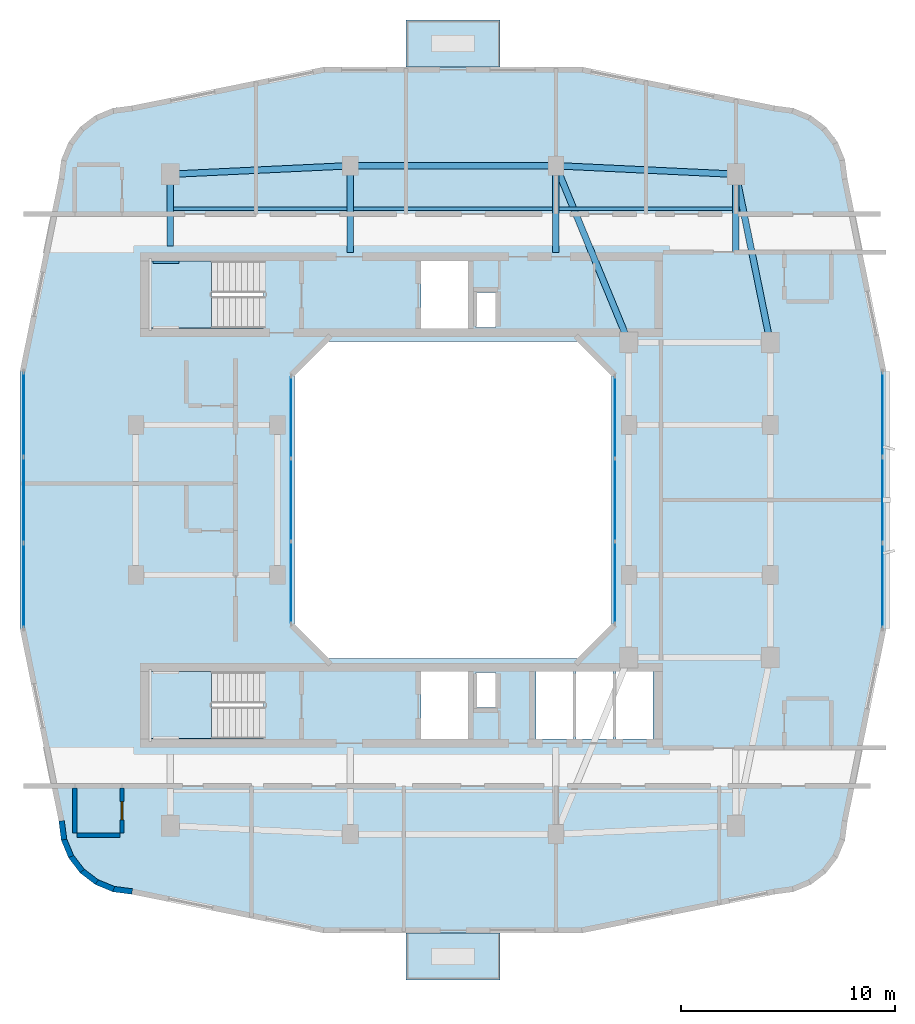
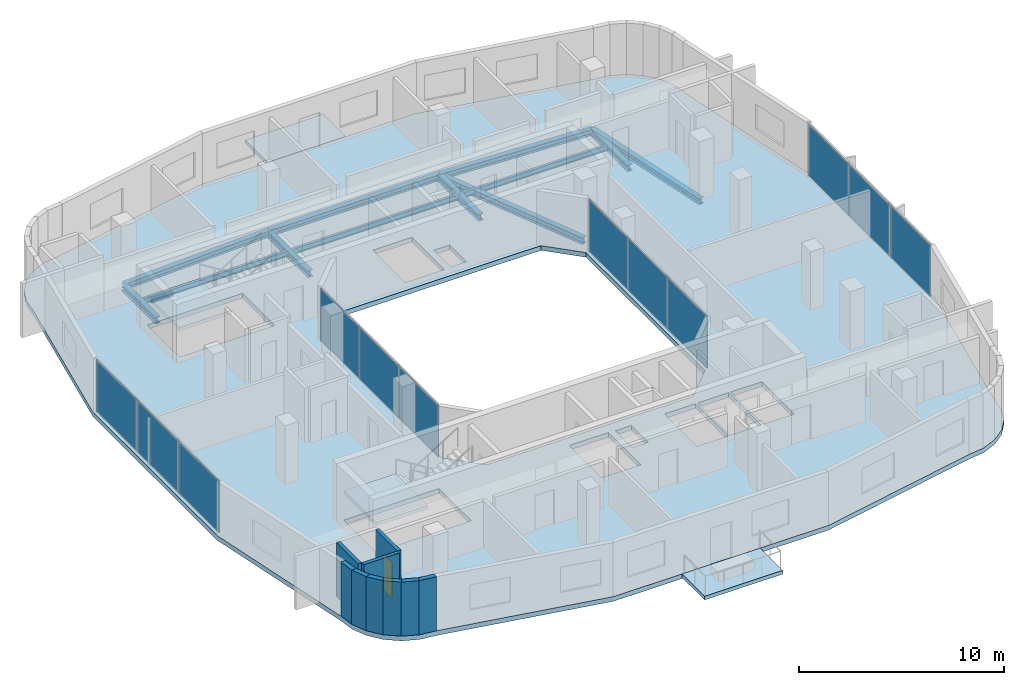
# One storey, part 4 of 12: 13 beams, 12 plates, 9 walls, 5 slabs, 1 door, 1 opening, 6 elements without a shape of their own.
"""IFC4 building model written with IfcOpenShell, lengths in metres."""

from ifc_helpers import new_model, si_unit, derived_unit, direction, frame, frame_2d, origin, origin_2d, place, context, subcontext, project, spatial, polyline, rectangle, i_section, outline, extrude, material, layer, layer_set, material_profile, profile_set, type_object, element, fill, aggregate, save


model = new_model("IFC4")

# Units and contexts
model_context = context("Model", 3, precision=1e-05, world=origin(), true_north=direction((0.0, 1.0)))
body_context = subcontext(model_context, "Body", "Model", "MODEL_VIEW")
ifc_project = project(units=[si_unit("LENGTHUNIT", "METRE"), si_unit("AREAUNIT", "SQUARE_METRE"), si_unit("VOLUMEUNIT", "CUBIC_METRE"), si_unit("PLANEANGLEUNIT", "RADIAN"), si_unit("MASSUNIT", "GRAM", prefix="KILO"), derived_unit("THERMALTRANSMITTANCEUNIT", [(si_unit("POWERUNIT", "WATT"), 1), (si_unit("LENGTHUNIT", "METRE"), -2), (si_unit("THERMODYNAMICTEMPERATUREUNIT", "KELVIN"), -1)])], contexts=[model_context])

# Site, building, storey
site_placement = place(None, origin())
site = spatial("IfcSite", under=ifc_project, at=site_placement, CompositionType="ELEMENT")
building_placement = place(site_placement, origin())
building = spatial("IfcBuilding", under=site, at=building_placement, Name="Kivonza Crest Hotel", CompositionType="ELEMENT")
storey_placement = place(building_placement, frame((0.0, 0.0, 166.0)))
storey = spatial("IfcBuildingStorey", under=building, at=storey_placement, Name="L45", CompositionType="ELEMENT", Elevation=166.0)

# Beams
ifc_material_1 = material(Name="Steel S355", Category="steel")
ifc_material_profile_1 = material_profile(ifc_material_1, i_section(OverallWidth=0.300048828125, OverallDepth=0.360107421875, WebThickness=0.012451171875, FlangeThickness=0.0224609375, FilletRadius=0.027099609375, at=origin_2d()), Name="HEB 360")
ifc_profile_set_1 = profile_set([ifc_material_profile_1], Name="Steel S355")
beam_type_1 = type_object("IfcBeamType", Name="BM-HEB360", PredefinedType="SPANDREL", material=ifc_profile_set_1)
beam_1_placement = place(storey_placement, frame((35.800048828125, 32.35009765625, -0.4599609375), z_axis=(-0.199730733965, 0.979850822273, 0.0), x_axis=(-0.979850822273, -0.199730733965, 0.0)))
element("IfcBeam", 1, at=beam_1_placement, inside=storey, type_object=beam_type_1, Name="Tower T1 L45 perimeter spandrel PNE-NE", PredefinedType="SPANDREL", context=body_context, shape_type="SweptSolid", body=[
    extrude(i_section(OverallWidth=0.300048828125, OverallDepth=0.360107421875, WebThickness=0.012451171875, FlangeThickness=0.0224609375, FilletRadius=0.027099609375, at=origin_2d()), origin(), (0.0, 0.0, 1.0), 8.01123046875),
])
beam_2_placement = place(storey_placement, frame((34.199951171875, 40.199951171875, -0.4599609375), z_axis=(-0.998867283688, 0.047583080799, 0.0), x_axis=(-0.047583080799, -0.998867283688, 0.0)))
element("IfcBeam", 2, at=beam_2_placement, inside=storey, type_object=beam_type_1, Name="Tower T1 L45 perimeter spandrel NE-N2", PredefinedType="SPANDREL", context=body_context, shape_type="SweptSolid", body=[
    extrude(i_section(OverallWidth=0.300048828125, OverallDepth=0.360107421875, WebThickness=0.012451171875, FlangeThickness=0.0224609375, FilletRadius=0.027099609375, at=origin_2d()), origin(), (0.0, 0.0, 1.0), 8.409423828125),
])
beam_3_placement = place(storey_placement, frame((25.800048828125, 40.60009765625, -0.4599609375), z_axis=(-1.0, 0.0, 0.0), x_axis=(0.0, -1.0, 0.0)))
element("IfcBeam", 3, at=beam_3_placement, inside=storey, type_object=beam_type_1, Name="Tower T1 L45 perimeter spandrel N2-N1", PredefinedType="SPANDREL", context=body_context, shape_type="SweptSolid", body=[
    extrude(i_section(OverallWidth=0.300048828125, OverallDepth=0.360107421875, WebThickness=0.012451171875, FlangeThickness=0.0224609375, FilletRadius=0.027099609375, at=origin_2d()), origin(), (0.0, 0.0, 1.0), 9.60009765625),
])
beam_4_placement = place(storey_placement, frame((16.199951171875, 40.60009765625, -0.4599609375), z_axis=(-0.998867283688, -0.047583080799, 0.0), x_axis=(0.047583080799, -0.998867283688, 0.0)))
element("IfcBeam", 4, at=beam_4_placement, inside=storey, type_object=beam_type_1, Name="Tower T1 L45 perimeter spandrel N1-NW", PredefinedType="SPANDREL", context=body_context, shape_type="SweptSolid", body=[
    extrude(i_section(OverallWidth=0.300048828125, OverallDepth=0.360107421875, WebThickness=0.012451171875, FlangeThickness=0.0224609375, FilletRadius=0.027099609375, at=origin_2d()), origin(), (0.0, 0.0, 1.0), 8.409423828125),
])
ifc_material_profile_2 = material_profile(ifc_material_1, i_section(OverallWidth=0.300048828125, OverallDepth=0.39990234375, WebThickness=0.013427734375, FlangeThickness=0.02392578125, FilletRadius=0.027099609375, at=origin_2d()), Name="HEB 400")
ifc_profile_set_2 = profile_set([ifc_material_profile_2], Name="Steel S355")
beam_type_2 = type_object("IfcBeamType", Name="BM-HEB400", PredefinedType="BEAM", material=ifc_profile_set_2)
beam_5_placement = place(storey_placement, frame((25.800048828125, 40.60009765625, -0.47998046875), z_axis=(0.381022260404, -0.924565864109, 0.0), x_axis=(0.924565864109, 0.381022260404, 0.0)))
element("IfcBeam", 5, at=beam_5_placement, inside=storey, type_object=beam_type_2, Name="Tower T1 L45 primary girder N1-TNE", PredefinedType="BEAM", context=body_context, shape_type="SweptSolid", body=[
    extrude(i_section(OverallWidth=0.300048828125, OverallDepth=0.39990234375, WebThickness=0.013427734375, FlangeThickness=0.02392578125, FilletRadius=0.027099609375, at=origin_2d()), origin(), (0.0, 0.0, 1.0), 8.923095703125),
])
beam_6_placement = place(storey_placement, frame((7.800048828125, 40.199951171875, -0.47998046875), z_axis=(0.0, -1.0, 0.0), x_axis=(1.0, 0.0, 0.0)))
element("IfcBeam", 6, at=beam_6_placement, inside=storey, type_object=beam_type_2, Name="Tower T1 L45 radial core girder RNW", PredefinedType="BEAM", context=body_context, shape_type="SweptSolid", body=[
    extrude(i_section(OverallWidth=0.300048828125, OverallDepth=0.39990234375, WebThickness=0.013427734375, FlangeThickness=0.02392578125, FilletRadius=0.027099609375, at=origin_2d()), origin(), (0.0, 0.0, 1.0), 3.349853515625),
])
for number, where, z_axis, x_axis, name in (
    (7, (16.199951171875, 40.60009765625, -0.47998046875), (0.0, -1.0, 0.0), (1.0, 0.0, 0.0), "Tower T1 L45 radial core girder RN1"),
    (8, (25.800048828125, 40.60009765625, -0.47998046875), (0.0, -1.0, 0.0), (1.0, 0.0, 0.0), "Tower T1 L45 radial core girder RN2"),
):
    element("IfcBeam", number, at=place(storey_placement, frame(where, z_axis=z_axis, x_axis=x_axis)), inside=storey, type_object=beam_type_2, Name=name, PredefinedType="BEAM", context=body_context, shape_type="SweptSolid", body=[
        extrude(i_section(OverallWidth=0.300048828125, OverallDepth=0.39990234375, WebThickness=0.013427734375, FlangeThickness=0.02392578125, FilletRadius=0.027099609375, at=origin_2d()), origin(), (0.0, 0.0, 1.0), 4.050048828125),
    ])
beam_7_placement = place(storey_placement, frame((34.199951171875, 40.199951171875, -0.47998046875), z_axis=(0.0, -1.0, 0.0), x_axis=(1.0, 0.0, 0.0)))
element("IfcBeam", 9, at=beam_7_placement, inside=storey, type_object=beam_type_2, Name="Tower T1 L45 radial core girder RNE", PredefinedType="BEAM", context=body_context, shape_type="SweptSolid", body=[
    extrude(i_section(OverallWidth=0.300048828125, OverallDepth=0.39990234375, WebThickness=0.013427734375, FlangeThickness=0.02392578125, FilletRadius=0.027099609375, at=origin_2d()), origin(), (0.0, 0.0, 1.0), 3.64990234375),
])
ifc_material_profile_3 = material_profile(ifc_material_1, i_section(OverallWidth=0.159912109375, OverallDepth=0.330078125, WebThickness=0.007568359375, FlangeThickness=0.011474609375, FilletRadius=0.01806640625, at=origin_2d()), Name="IPE 330")
ifc_profile_set_3 = profile_set([ifc_material_profile_3], Name="Steel S355")
beam_type_3 = type_object("IfcBeamType", Name="BM-IPE330", PredefinedType="JOIST", material=ifc_profile_set_3)
beam_8_placement = place(storey_placement, frame((7.8798828125, 38.60009765625, -0.445068359375), z_axis=(1.0, 0.0, 0.0), x_axis=(0.0, 1.0, 0.0)))
element("IfcBeam", 10, at=beam_8_placement, inside=storey, type_object=beam_type_3, Name="Tower T1 L45 North-West floor joist", PredefinedType="JOIST", context=body_context, shape_type="SweptSolid", body=[
    extrude(i_section(OverallWidth=0.159912109375, OverallDepth=0.330078125, WebThickness=0.007568359375, FlangeThickness=0.011474609375, FilletRadius=0.01806640625, at=origin_2d()), origin(), (0.0, 0.0, 1.0), 8.240234375),
])
beam_9_placement = place(storey_placement, frame((16.280029296875, 38.60009765625, -0.445068359375), z_axis=(1.0, 0.0, 0.0), x_axis=(0.0, 1.0, 0.0)))
element("IfcBeam", 11, at=beam_9_placement, inside=storey, type_object=beam_type_3, Name="Tower T1 L45 North-Mid floor joist", PredefinedType="JOIST", context=body_context, shape_type="SweptSolid", body=[
    extrude(i_section(OverallWidth=0.159912109375, OverallDepth=0.330078125, WebThickness=0.007568359375, FlangeThickness=0.011474609375, FilletRadius=0.01806640625, at=origin_2d()), origin(), (0.0, 0.0, 1.0), 9.43994140625),
])
beam_10_placement = place(storey_placement, frame((25.8798828125, 38.60009765625, -0.445068359375), z_axis=(1.0, 0.0, 0.0), x_axis=(0.0, 1.0, 0.0)))
element("IfcBeam", 12, at=beam_10_placement, inside=storey, type_object=beam_type_3, Name="Tower T1 L45 North-East floor joist", PredefinedType="JOIST", context=body_context, shape_type="SweptSolid", body=[
    extrude(i_section(OverallWidth=0.159912109375, OverallDepth=0.330078125, WebThickness=0.007568359375, FlangeThickness=0.011474609375, FilletRadius=0.01806640625, at=origin_2d()), origin(), (0.0, 0.0, 1.0), 8.240234375),
])
ifc_material_profile_4 = material_profile(ifc_material_1, i_section(OverallWidth=0.1201171875, OverallDepth=0.239990234375, WebThickness=0.006103515625, FlangeThickness=0.009765625, FilletRadius=0.014892578125, at=origin_2d()), Name="IPE 240")
ifc_profile_set_4 = profile_set([ifc_material_profile_4], Name="Steel S355")
beam_type_4 = type_object("IfcBeamType", Name="BM-LLDG-240", PredefinedType="BEAM", material=ifc_profile_set_4)
beam_11_placement = place(storey_placement, frame((6.989990234375, 36.10009765625, 1.429931640625), z_axis=(1.0, 0.0, 0.0), x_axis=(0.0, 1.0, 0.0)))
element("IfcBeam", 13, at=beam_11_placement, inside=storey, type_object=beam_type_4, Name="Stair ST-T1-N L45 North landing corbel", PredefinedType="BEAM", context=body_context, shape_type="SweptSolid", body=[
    extrude(i_section(OverallWidth=0.1201171875, OverallDepth=0.239990234375, WebThickness=0.006103515625, FlangeThickness=0.009765625, FilletRadius=0.014892578125, at=origin_2d()), origin(), (0.0, 0.0, 1.0), 1.2099609375),
])

# Curtain wall, plates
ifc_material_2 = material(Name="Anodised bronze aluminium and low-E double glazing", Category="aluminium")
ifc_layer_1 = layer(ifc_material_2, 0.159912109375)
ifc_layer_set_1 = layer_set([ifc_layer_1], Name="Anodised bronze aluminium and low-E double glazing")
curtain_wall_type_1 = type_object("IfcCurtainWallType", Name="CW-SYS-5", PredefinedType="NOTDEFINED", material=ifc_layer_set_1)
curtain_wall_1_placement = place(storey_placement, origin())
curtain_wall_1 = element("IfcCurtainWall", 14, at=curtain_wall_1_placement, inside=storey, type_object=curtain_wall_type_1, Name="L45 unitised curtain wall CW-WELL-T1-L45-3", PredefinedType="NOTDEFINED")
ifc_material_3 = material(Name="Solar-control low-E double glazing", Category="glass")
ifc_layer_2 = layer(ifc_material_3, 0.028076171875)
ifc_layer_set_2 = layer_set([ifc_layer_2], Name="Solar-control low-E double glazing")
plate_type_1 = type_object("IfcPlateType", Name="CW-PNL-28", PredefinedType="CURTAIN_PANEL", material=ifc_layer_set_2)
plate_1_placement = place(storey_placement, frame((28.56005859375, 21.149658203125, 0.06494140625), z_axis=(0.0, 0.0, 1.0), x_axis=(0.0, 1.0, 0.0)))
plate_1 = element("IfcPlate", 15, at=plate_1_placement, type_object=plate_type_1, Name="CW-5 panel 1.1", PredefinedType="CURTAIN_PANEL", context=body_context, shape_type="SweptSolid", body=[
    extrude(rectangle(XDim=3.769287109375, YDim=0.028076171875, at=origin_2d()), origin(), (0.0, 0.0, 1.0), 3.090087890625),
])
plate_2_placement = place(storey_placement, frame((28.56005859375, 25.0, 0.06494140625), z_axis=(0.0, 0.0, 1.0), x_axis=(0.0, 1.0, 0.0)))
plate_2 = element("IfcPlate", 16, at=plate_2_placement, type_object=plate_type_1, Name="CW-5 panel 2.1", PredefinedType="CURTAIN_PANEL", context=body_context, shape_type="SweptSolid", body=[
    extrude(rectangle(XDim=3.8017578125, YDim=0.028076171875, at=origin_2d()), origin(), (0.0, 0.0, 1.0), 3.090087890625),
])
plate_3_placement = place(storey_placement, frame((28.56005859375, 28.850341796875, 0.06494140625), z_axis=(0.0, 0.0, 1.0), x_axis=(0.0, 1.0, 0.0)))
plate_3 = element("IfcPlate", 17, at=plate_3_placement, type_object=plate_type_1, Name="CW-5 panel 3.1", PredefinedType="CURTAIN_PANEL", context=body_context, shape_type="SweptSolid", body=[
    extrude(rectangle(XDim=3.769287109375, YDim=0.028076171875, at=origin_2d()), origin(), (0.0, 0.0, 1.0), 3.090087890625),
])
aggregate(curtain_wall_1, [plate_1, plate_2, plate_3])

curtain_wall_2_placement = place(storey_placement, origin())
curtain_wall_2 = element("IfcCurtainWall", 18, at=curtain_wall_2_placement, inside=storey, type_object=curtain_wall_type_1, Name="L45 unitised curtain wall CW-WELL-T1-L45-7", PredefinedType="NOTDEFINED")
plate_4_placement = place(storey_placement, frame((13.43994140625, 28.850341796875, 0.06494140625), z_axis=(0.0, 0.0, 1.0), x_axis=(0.0, -1.0, 0.0)))
plate_4 = element("IfcPlate", 19, at=plate_4_placement, type_object=plate_type_1, Name="CW-5 panel 1.1", PredefinedType="CURTAIN_PANEL", context=body_context, shape_type="SweptSolid", body=[
    extrude(rectangle(XDim=3.769287109375, YDim=0.028076171875, at=origin_2d()), origin(), (0.0, 0.0, 1.0), 3.090087890625),
])
plate_5_placement = place(storey_placement, frame((13.43994140625, 25.0, 0.06494140625), z_axis=(0.0, 0.0, 1.0), x_axis=(0.0, -1.0, 0.0)))
plate_5 = element("IfcPlate", 20, at=plate_5_placement, type_object=plate_type_1, Name="CW-5 panel 2.1", PredefinedType="CURTAIN_PANEL", context=body_context, shape_type="SweptSolid", body=[
    extrude(rectangle(XDim=3.8017578125, YDim=0.028076171875, at=origin_2d()), origin(), (0.0, 0.0, 1.0), 3.090087890625),
])
plate_6_placement = place(storey_placement, frame((13.43994140625, 21.149658203125, 0.06494140625), z_axis=(0.0, 0.0, 1.0), x_axis=(0.0, -1.0, 0.0)))
plate_6 = element("IfcPlate", 21, at=plate_6_placement, type_object=plate_type_1, Name="CW-5 panel 3.1", PredefinedType="CURTAIN_PANEL", context=body_context, shape_type="SweptSolid", body=[
    extrude(rectangle(XDim=3.769287109375, YDim=0.028076171875, at=origin_2d()), origin(), (0.0, 0.0, 1.0), 3.090087890625),
])
aggregate(curtain_wall_2, [plate_4, plate_5, plate_6])

ifc_layer_3 = layer(ifc_material_2, 0.179931640625)
ifc_layer_set_3 = layer_set([ifc_layer_3], Name="Anodised bronze aluminium and low-E double glazing")
curtain_wall_type_2 = type_object("IfcCurtainWallType", Name="CW-SYS-3", PredefinedType="NOTDEFINED", material=ifc_layer_set_3)
curtain_wall_3_placement = place(storey_placement, origin())
curtain_wall_3 = element("IfcCurtainWall", 22, at=curtain_wall_3_placement, inside=storey, type_object=curtain_wall_type_2, Name="L45 unitised curtain wall CW-T1-L45-17", PredefinedType="NOTDEFINED")
ifc_material_4 = material(Name="Acoustic triple-laminated low-E glazing", Category="glass")
ifc_layer_4 = layer(ifc_material_4, 0.035888671875)
ifc_layer_set_4 = layer_set([ifc_layer_4], Name="Acoustic triple-laminated low-E glazing")
plate_type_2 = type_object("IfcPlateType", Name="CW-PNL-36", PredefinedType="CURTAIN_PANEL", material=ifc_layer_set_4)
plate_7_placement = place(storey_placement, frame((41.0400390625, 21.00537109375, 0.0751953125), z_axis=(0.0, 0.0, 1.0), x_axis=(0.0, 1.0, 0.0)))
plate_7 = element("IfcPlate", 23, at=plate_7_placement, type_object=plate_type_2, Name="CW-3 panel 1.1", PredefinedType="CURTAIN_PANEL", context=body_context, shape_type="SweptSolid", body=[
    extrude(rectangle(XDim=3.90087890625, YDim=0.035888671875, at=origin_2d()), origin(), (0.0, 0.0, 1.0), 3.070068359375),
])
plate_8_placement = place(storey_placement, frame((41.0400390625, 25.0, 0.0751953125), z_axis=(0.0, 0.0, 1.0), x_axis=(0.0, 1.0, 0.0)))
plate_8 = element("IfcPlate", 24, at=plate_8_placement, type_object=plate_type_2, Name="CW-3 panel 2.1", PredefinedType="CURTAIN_PANEL", context=body_context, shape_type="SweptSolid", body=[
    extrude(rectangle(XDim=3.938232421875, YDim=0.035888671875, at=origin_2d()), origin(), (0.0, 0.0, 1.0), 3.070068359375),
])
plate_9_placement = place(storey_placement, frame((41.0400390625, 28.99462890625, 0.0751953125), z_axis=(0.0, 0.0, 1.0), x_axis=(0.0, 1.0, 0.0)))
plate_9 = element("IfcPlate", 25, at=plate_9_placement, type_object=plate_type_2, Name="CW-3 panel 3.1", PredefinedType="CURTAIN_PANEL", context=body_context, shape_type="SweptSolid", body=[
    extrude(rectangle(XDim=3.90087890625, YDim=0.035888671875, at=origin_2d()), origin(), (0.0, 0.0, 1.0), 3.070068359375),
])
aggregate(curtain_wall_3, [plate_7, plate_8, plate_9])

curtain_wall_4_placement = place(storey_placement, origin())
curtain_wall_4 = element("IfcCurtainWall", 26, at=curtain_wall_4_placement, inside=storey, type_object=curtain_wall_type_2, Name="L45 unitised curtain wall CW-T1-L45-35", PredefinedType="NOTDEFINED")
plate_10_placement = place(storey_placement, frame((0.9599609375, 28.99462890625, 0.0751953125), z_axis=(0.0, 0.0, 1.0), x_axis=(0.0, -1.0, 0.0)))
plate_10 = element("IfcPlate", 27, at=plate_10_placement, type_object=plate_type_2, Name="CW-3 panel 1.1", PredefinedType="CURTAIN_PANEL", context=body_context, shape_type="SweptSolid", body=[
    extrude(rectangle(XDim=3.90087890625, YDim=0.035888671875, at=origin_2d()), origin(), (0.0, 0.0, 1.0), 3.070068359375),
])
plate_11_placement = place(storey_placement, frame((0.9599609375, 25.0, 0.0751953125), z_axis=(0.0, 0.0, 1.0), x_axis=(0.0, -1.0, 0.0)))
plate_11 = element("IfcPlate", 28, at=plate_11_placement, type_object=plate_type_2, Name="CW-3 panel 2.1", PredefinedType="CURTAIN_PANEL", context=body_context, shape_type="SweptSolid", body=[
    extrude(rectangle(XDim=3.938232421875, YDim=0.035888671875, at=origin_2d()), origin(), (0.0, 0.0, 1.0), 3.070068359375),
])
plate_12_placement = place(storey_placement, frame((0.9599609375, 21.00537109375, 0.0751953125), z_axis=(0.0, 0.0, 1.0), x_axis=(0.0, -1.0, 0.0)))
plate_12 = element("IfcPlate", 29, at=plate_12_placement, type_object=plate_type_2, Name="CW-3 panel 3.1", PredefinedType="CURTAIN_PANEL", context=body_context, shape_type="SweptSolid", body=[
    extrude(rectangle(XDim=3.90087890625, YDim=0.035888671875, at=origin_2d()), origin(), (0.0, 0.0, 1.0), 3.070068359375),
])
aggregate(curtain_wall_4, [plate_10, plate_11, plate_12])

# Slab
ifc_material_5 = material(Name="Concrete C40/50", Category="concrete")
ifc_layer_5 = layer(ifc_material_5, 0.280029296875)
ifc_layer_set_5 = layer_set([ifc_layer_5], Name="Concrete C40/50")
slab_type_1 = type_object("IfcSlabType", Name="SL-HTL-280", PredefinedType="FLOOR", material=ifc_layer_set_5)
slab_1_placement = place(storey_placement, frame((0.0, 0.0, -0.280029296875)))
element("IfcSlab", 30, at=slab_1_placement, inside=storey, type_object=slab_type_1, Name="Tower T1 L45 floor slab", PredefinedType="FLOOR", context=body_context, shape_type="SweptSolid", body=[
    extrude(outline(polyline([(2.60009765625, 10.0), (2.716064453125, 9.1201171875), (3.055908203125, 8.300048828125), (3.595947265625, 7.595947265625), (4.300048828125, 7.055908203125), (5.1201171875, 6.716064453125), (6.0, 6.60009765625), (14.93994140625, 4.800048828125), (27.06005859375, 4.800048828125), (36.0, 6.60009765625), (36.8798828125, 6.716064453125), (37.699951171875, 7.055908203125), (38.404052734375, 7.595947265625), (38.944091796875, 8.300048828125), (39.283935546875, 9.1201171875), (39.39990234375, 10.0), (41.199951171875, 18.93994140625), (41.199951171875, 31.06005859375), (39.39990234375, 40.0), (39.283935546875, 40.8798828125), (38.944091796875, 41.699951171875), (38.404052734375, 42.404052734375), (37.699951171875, 42.944091796875), (36.8798828125, 43.283935546875), (36.0, 43.39990234375), (27.06005859375, 45.199951171875), (14.93994140625, 45.199951171875), (6.0, 43.39990234375), (5.1201171875, 43.283935546875), (4.300048828125, 42.944091796875), (3.595947265625, 42.404052734375), (3.055908203125, 41.699951171875), (2.716064453125, 40.8798828125), (2.60009765625, 40.0), (0.800048828125, 31.06005859375), (0.800048828125, 18.93994140625), (2.60009765625, 10.0)]), holes=[polyline([(15.199951171875, 17.60009765625), (26.800048828125, 17.60009765625), (28.39990234375, 19.199951171875), (28.39990234375, 30.800048828125), (26.800048828125, 32.39990234375), (15.199951171875, 32.39990234375), (13.60009765625, 30.800048828125), (13.60009765625, 19.199951171875), (15.199951171875, 17.60009765625)]), polyline([(6.800048828125, 33.02001953125), (12.159912109375, 33.02001953125), (12.159912109375, 36.159912109375), (6.800048828125, 36.159912109375), (6.800048828125, 33.02001953125)]), polyline([(6.800048828125, 13.860107421875), (12.159912109375, 13.860107421875), (12.159912109375, 17.0), (6.800048828125, 17.0), (6.800048828125, 13.860107421875)]), polyline([(22.080078125, 33.0400390625), (22.969970703125, 33.0400390625), (22.969970703125, 34.679931640625), (22.080078125, 34.679931640625), (22.080078125, 33.0400390625)]), polyline([(22.080078125, 15.320068359375), (22.969970703125, 15.320068359375), (22.969970703125, 16.9599609375), (22.080078125, 16.9599609375), (22.080078125, 15.320068359375)]), polyline([(19.5, 33.0), (21.699951171875, 33.0), (21.699951171875, 36.159912109375), (19.5, 36.159912109375), (19.5, 33.0)]), polyline([(19.5, 13.840087890625), (21.699951171875, 13.840087890625), (21.699951171875, 17.0), (19.5, 17.0), (19.5, 13.840087890625)]), polyline([(24.860107421875, 13.840087890625), (26.60693359375, 13.840087890625), (26.60693359375, 17.0), (24.860107421875, 17.0), (24.860107421875, 13.840087890625)]), polyline([(26.72705078125, 13.840087890625), (28.472900390625, 13.840087890625), (28.472900390625, 17.0), (26.72705078125, 17.0), (26.72705078125, 13.840087890625)]), polyline([(28.593017578125, 13.840087890625), (30.340087890625, 13.840087890625), (30.340087890625, 17.0), (28.593017578125, 17.0), (28.593017578125, 13.840087890625)])]), origin(), (0.0, 0.0, 1.0), 0.280029296875),
])

# Stair, slab
stair_type = type_object("IfcStairType", Name="ST-DL-20R", PredefinedType="HALF_TURN_STAIR", material=ifc_material_5)
stair_1_placement = place(storey_placement, origin())
stair_1 = element("IfcStair", 31, at=stair_1_placement, inside=storey, type_object=stair_type, Name="L45 Protected Exit Stair ST-T1-N", PredefinedType="HALF_TURN_STAIR")
ifc_layer_6 = layer(ifc_material_5, 0.199951171875)
ifc_layer_set_6 = layer_set([ifc_layer_6], Name="Concrete C40/50")
slab_type_2 = type_object("IfcSlabType", Name="SL-LAND-200", PredefinedType="LANDING", material=ifc_layer_set_6)
slab_2_placement = place(storey_placement, frame((0.0, 0.0, 1.550048828125)))
slab_2 = element("IfcSlab", 32, at=slab_2_placement, type_object=slab_type_2, Name="ST-T1-N landing 1", PredefinedType="LANDING", context=body_context, shape_type="SweptSolid", body=[
    extrude(outline(polyline([(9.719970703125, 36.159912109375), (6.800048828125, 36.159912109375), (6.800048828125, 33.02001953125), (9.719970703125, 33.02001953125), (9.719970703125, 36.159912109375)])), origin(), (0.0, 0.0, 1.0), 0.199951171875),
])
aggregate(stair_1, [slab_2])

stair_2_placement = place(storey_placement, origin())
stair_2 = element("IfcStair", 33, at=stair_2_placement, inside=storey, type_object=stair_type, Name="L45 Protected Exit Stair ST-T1-S", PredefinedType="HALF_TURN_STAIR")
slab_3_placement = place(storey_placement, frame((0.0, 0.0, 1.550048828125)))
slab_3 = element("IfcSlab", 34, at=slab_3_placement, type_object=slab_type_2, Name="ST-T1-S landing 1", PredefinedType="LANDING", context=body_context, shape_type="SweptSolid", body=[
    extrude(outline(polyline([(9.719970703125, 17.0), (6.800048828125, 17.0), (6.800048828125, 13.860107421875), (9.719970703125, 13.860107421875), (9.719970703125, 17.0)])), origin(), (0.0, 0.0, 1.0), 0.199951171875),
])
aggregate(stair_2, [slab_3])

# Slabs
ifc_layer_7 = layer(ifc_material_5, 0.219970703125)
ifc_layer_set_7 = layer_set([ifc_layer_7], Name="Concrete C40/50")
slab_type_3 = type_object("IfcSlabType", Name="SL-SKYG-220", PredefinedType="FLOOR", material=ifc_layer_set_7)
slab_4_placement = place(storey_placement, frame((0.0, 0.0, -0.219970703125)))
element("IfcSlab", 35, at=slab_4_placement, inside=storey, type_object=slab_type_3, Name="Tower T1 L45 SW planted sky-garden bridge", PredefinedType="FLOOR", context=body_context, shape_type="SweptSolid", body=[
    extrude(outline(polyline([(18.800048828125, 2.60009765625), (23.199951171875, 2.60009765625), (23.199951171875, 4.800048828125), (18.800048828125, 4.800048828125), (18.800048828125, 2.60009765625)])), origin(), (0.0, 0.0, 1.0), 0.219970703125),
])
slab_5_placement = place(storey_placement, frame((0.0, 0.0, -0.219970703125)))
element("IfcSlab", 36, at=slab_5_placement, inside=storey, type_object=slab_type_3, Name="Tower T1 L45 NE planted sky-garden bridge", PredefinedType="FLOOR", context=body_context, shape_type="SweptSolid", body=[
    extrude(outline(polyline([(18.800048828125, 45.199951171875), (23.199951171875, 45.199951171875), (23.199951171875, 47.39990234375), (18.800048828125, 47.39990234375), (18.800048828125, 45.199951171875)])), origin(), (0.0, 0.0, 1.0), 0.219970703125),
])

# Walls
ifc_material_6 = material(Name="Precast concrete C40/50", Category="concrete")
ifc_layer_8 = layer(ifc_material_6, 0.260009765625)
ifc_layer_set_8 = layer_set([ifc_layer_8], Name="Precast concrete C40/50")
wall_type_1 = type_object("IfcWallType", Name="WL-EXT-260", PredefinedType="STANDARD", material=ifc_layer_set_8)
wall_1_placement = place(storey_placement, frame((2.72802734375, 10.02490234375, 0.0), z_axis=(0.0, 0.0, 1.0), x_axis=(0.130953706898, -0.991388484223, 0.0)))
element("IfcWall", 37, at=wall_1_placement, inside=storey, type_object=wall_type_1, Name="L45 T1 exterior insulated wall 1", PredefinedType="STANDARD", context=body_context, shape_type="SweptSolid", body=[
    extrude(rectangle(XDim=0.885498046875, YDim=0.260009765625, at=frame_2d((0.44287109375, 0.0))), origin(), (0.0, 0.0, 1.0), 3.219970703125),
])
wall_2_placement = place(storey_placement, frame((2.825927734375, 9.193115234375, 0.0), z_axis=(0.0, 0.0, 1.0), x_axis=(0.383290660547, -0.923627776508, 0.0)))
element("IfcWall", 38, at=wall_2_placement, inside=storey, type_object=wall_type_1, Name="L45 T1 exterior insulated wall 2", PredefinedType="STANDARD", context=body_context, shape_type="SweptSolid", body=[
    extrude(rectangle(XDim=0.9033203125, YDim=0.260009765625, at=frame_2d((0.45166015625, 0.0))), origin(), (0.0, 0.0, 1.0), 3.219970703125),
])
wall_3_placement = place(storey_placement, frame((3.14404296875, 8.39892578125, 0.0), z_axis=(0.0, 0.0, 1.0), x_axis=(0.608624690463, -0.793458244748, 0.0)))
element("IfcWall", 39, at=wall_3_placement, inside=storey, type_object=wall_type_1, Name="L45 T1 exterior insulated wall 3", PredefinedType="STANDARD", context=body_context, shape_type="SweptSolid", body=[
    extrude(rectangle(XDim=0.902099609375, YDim=0.260009765625, at=frame_2d((0.451171875, 0.0))), origin(), (0.0, 0.0, 1.0), 3.219970703125),
])
wall_4_placement = place(storey_placement, frame((3.655029296875, 7.714111328125, 0.0), z_axis=(0.0, 0.0, 1.0), x_axis=(0.793558456666, -0.608494022858, 0.0)))
element("IfcWall", 40, at=wall_4_placement, inside=storey, type_object=wall_type_1, Name="L45 T1 exterior insulated wall 4", PredefinedType="STANDARD", context=body_context, shape_type="SweptSolid", body=[
    extrude(rectangle(XDim=0.90234375, YDim=0.260009765625, at=frame_2d((0.451171875, 0.0))), origin(), (0.0, 0.0, 1.0), 3.219970703125),
])
wall_5_placement = place(storey_placement, frame((4.326904296875, 7.18603515625, 0.0), z_axis=(0.0, 0.0, 1.0), x_axis=(0.923683767999, -0.383155708213, 0.0)))
element("IfcWall", 41, at=wall_5_placement, inside=storey, type_object=wall_type_1, Name="L45 T1 exterior insulated wall 5", PredefinedType="STANDARD", context=body_context, shape_type="SweptSolid", body=[
    extrude(rectangle(XDim=0.90283203125, YDim=0.260009765625, at=frame_2d((0.451416015625, 0.0))), origin(), (0.0, 0.0, 1.0), 3.219970703125),
])
wall_6_placement = place(storey_placement, frame((5.112060546875, 6.847900390625, 0.0), z_axis=(0.0, 0.0, 1.0), x_axis=(0.991487658083, -0.130200706103, 0.0)))
element("IfcWall", 42, at=wall_6_placement, inside=storey, type_object=wall_type_1, Name="L45 T1 exterior insulated wall 6", PredefinedType="STANDARD", context=body_context, shape_type="SweptSolid", body=[
    extrude(rectangle(XDim=0.920654296875, YDim=0.260009765625, at=frame_2d((0.46044921875, 0.0))), origin(), (0.0, 0.0, 1.0), 3.219970703125),
])

# Wall, opening, door
ifc_material_7 = material(Name="Moisture-resistant plumbing chase partition wall", Category="gypsum")
ifc_layer_9 = layer(ifc_material_7, 0.199951171875)
ifc_layer_set_9 = layer_set([ifc_layer_9], Name="Moisture-resistant plumbing chase partition wall")
wall_type_2 = type_object("IfcWallType", Name="WL-PLUMB-200", PredefinedType="PLUMBINGWALL", material=ifc_layer_set_9)
wall_7_placement = place(storey_placement, frame((5.550048828125, 9.449951171875, 0.0), z_axis=(0.0, 0.0, 1.0), x_axis=(0.0, 1.0, 0.0)))
wall_7 = element("IfcWall", 43, at=wall_7_placement, inside=storey, type_object=wall_type_2, Name="L45 interior partition WW-L45-S02-BV", PredefinedType="PLUMBINGWALL", context=body_context, shape_type="SweptSolid", body=[
    extrude(rectangle(XDim=2.10009765625, YDim=0.199951171875, at=frame_2d((1.050048828125, 0.0))), origin(), (0.0, 0.0, 1.0), 3.219970703125),
])
opening_placement = place(wall_7_placement, frame((0.625, 0.0, 0.0)))
opening = element("IfcOpeningElement", 44, at=opening_placement, cuts=wall_7, Name="Opening DI-85", PredefinedType="OPENING", context=body_context, shape_type="SweptSolid", body=[
    extrude(rectangle(XDim=0.85009765625, YDim=2.10009765625, at=frame_2d((0.425048828125, 1.050048828125))), frame((0.0, 0.10986328125, 0.0), z_axis=(0.0, -1.0, 0.0), x_axis=(1.0, 0.0, 0.0)), (0.0, 0.0, 1.0), 0.219970703125),
])
ifc_material_8 = material(Name="Hardwood timber oak", Category="wood")
door_type = type_object("IfcDoorType", Name="DR-INT-850", OperationType="NOTDEFINED", PredefinedType="DOOR", material=ifc_material_8)
door_placement = place(opening_placement, frame((0.85009765625, 0.0, 0.0), z_axis=(0.0, 0.0, 1.0), x_axis=(-1.0, 0.0, 0.0)))
door = element("IfcDoor", 45, at=door_placement, inside=storey, type_object=door_type, Name="L45 S02 en-suite bathroom door", OperationType="SINGLE_SWING_LEFT", OverallHeight=2.10009765625, OverallWidth=0.85009765625, PredefinedType="DOOR", context=body_context, shape_type="SweptSolid", body=[
    extrude(rectangle(XDim=0.85009765625, YDim=2.10009765625, at=frame_2d((0.425048828125, 1.050048828125))), frame((0.0, 0.02490234375, 0.0), z_axis=(0.0, -1.0, 0.0), x_axis=(1.0, 0.0, 0.0)), (0.0, 0.0, 1.0), 0.050048828125),
])
fill(opening, door)

# Walls
wall_8_placement = place(storey_placement, frame((3.449951171875, 9.35009765625, 0.0), z_axis=(0.0, 0.0, 1.0), x_axis=(1.0, 0.0, 0.0)))
element("IfcWall", 46, at=wall_8_placement, inside=storey, type_object=wall_type_2, Name="L45 interior partition WW-L45-S02-BH", PredefinedType="PLUMBINGWALL", context=body_context, shape_type="SweptSolid", body=[
    extrude(rectangle(XDim=2.0, YDim=0.199951171875, at=frame_2d((1.0, 0.0))), origin(), (0.0, 0.0, 1.0), 3.219970703125),
])
wall_9_placement = place(storey_placement, frame((3.35009765625, 9.449951171875, 0.0), z_axis=(0.0, 0.0, 1.0), x_axis=(0.0, 1.0, 0.0)))
element("IfcWall", 47, at=wall_9_placement, inside=storey, type_object=wall_type_2, Name="L45 interior partition WW-L45-S02-BVW", PredefinedType="PLUMBINGWALL", context=body_context, shape_type="SweptSolid", body=[
    extrude(rectangle(XDim=2.10009765625, YDim=0.199951171875, at=frame_2d((1.050048828125, 0.0))), origin(), (0.0, 0.0, 1.0), 3.219970703125),
])

save(model, "model.ifc")
